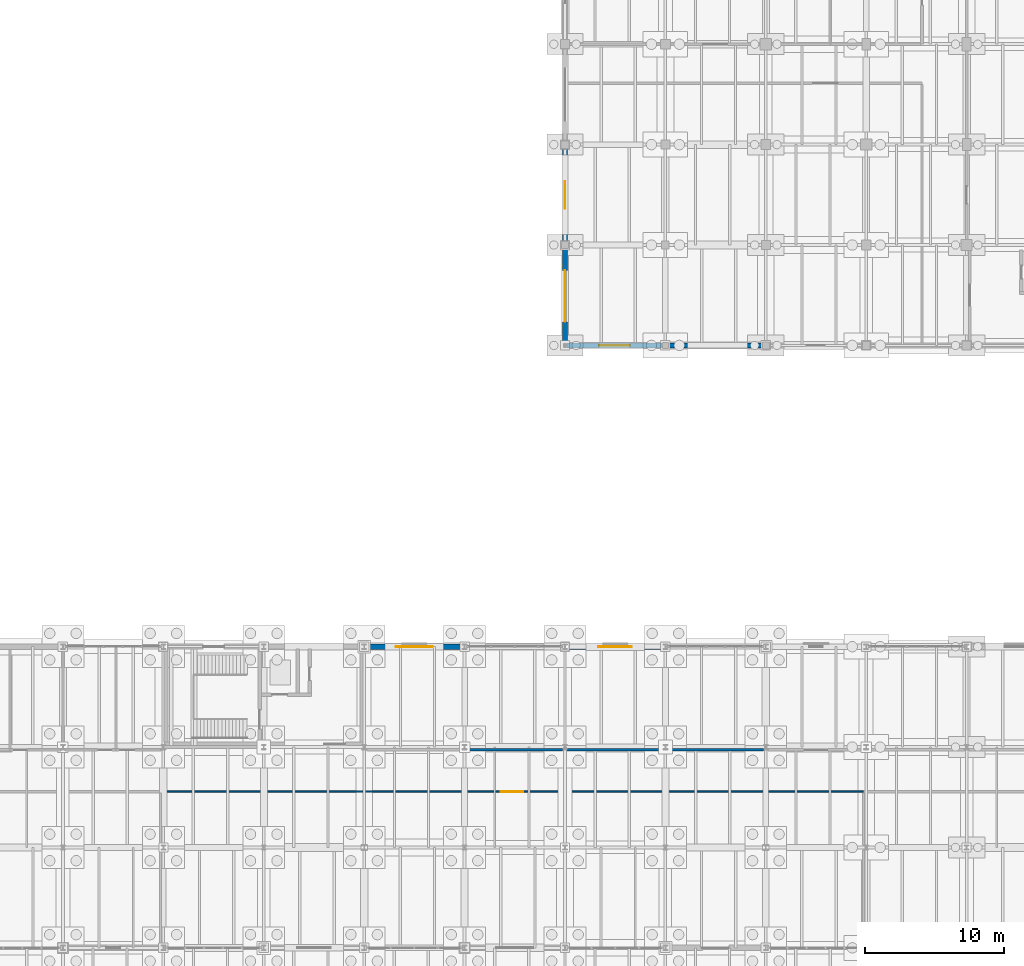
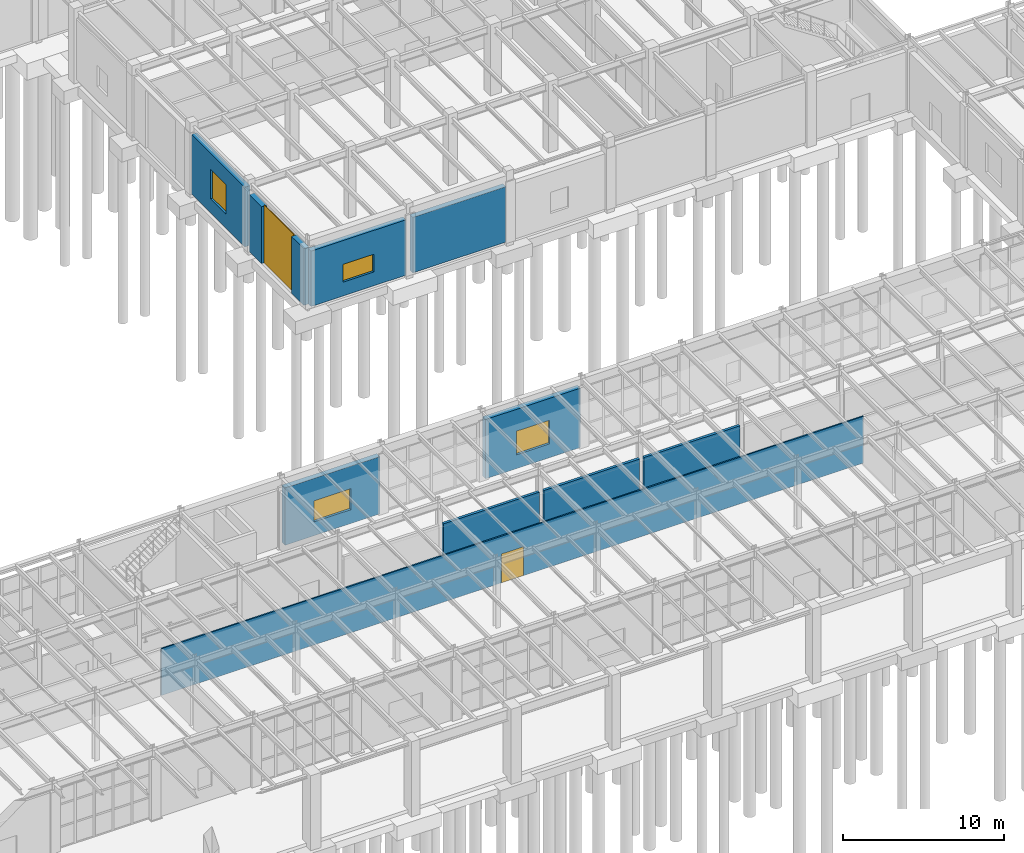
# One storey, part 266 of 293: 10 walls, 4 windows, 2 doors, 6 openings.
"""IFC4 building model written with IfcOpenShell, lengths in metres."""

from ifc_helpers import new_model, si_unit, direction, frame, frame_2d, origin, place, context, subcontext, project, spatial, rectangle, extrude, material, layer, layer_set, type_object, element, fill, save


model = new_model("IFC4")

# Units and contexts
model_context = context("Model", 3, precision=1e-05, world=origin(), true_north=direction((0.0, 1.0)))
body_context = subcontext(model_context, "Body", "Model", "MODEL_VIEW")
ifc_project = project(units=[si_unit("LENGTHUNIT", "METRE"), si_unit("AREAUNIT", "SQUARE_METRE"), si_unit("VOLUMEUNIT", "CUBIC_METRE"), si_unit("PLANEANGLEUNIT", "RADIAN"), si_unit("MASSUNIT", "GRAM", prefix="KILO")], contexts=[model_context])

# Site, building, storey
site_placement = place(None, origin())
site = spatial("IfcSite", under=ifc_project, at=site_placement, CompositionType="ELEMENT")
building_placement = place(site_placement, origin())
building = spatial("IfcBuilding", under=site, at=building_placement, Name="Kemerveld Promenade Tramway Depot", CompositionType="ELEMENT")
storey_placement = place(building_placement, origin())
storey = spatial("IfcBuildingStorey", under=building, at=storey_placement, Name="L00", CompositionType="ELEMENT", Elevation=0.0)

# Wall, opening, window
ifc_material_1 = material(Name="Harare granite ashlar and clay brick cavity masonry", Category="masonry")
ifc_layer_1 = layer(ifc_material_1, 0.3798828125)
ifc_layer_set_1 = layer_set([ifc_layer_1], Name="WL-EXT-380")
wall_type_1 = type_object("IfcWallType", Name="WL-EXT-380", PredefinedType="SOLIDWALL", material=ifc_layer_set_1)
wall_1_placement = place(storey_placement, frame((100.996337890625, 28.800048828125, 0.0), z_axis=(0.0, 0.0, 1.0), x_axis=(1.0, 0.0, 0.0)))
wall_1 = element("IfcWall", 1, at=wall_1_placement, inside=storey, type_object=wall_type_1, Name="WL-L00-V4N-07", PredefinedType="SOLIDWALL", context=body_context, shape_type="SweptSolid", body=[
    extrude(rectangle(XDim=6.807373046875, YDim=0.3798828125, at=frame_2d((3.40380859375, 0.0))), origin(), (0.0, 0.0, 1.0), 4.35498046875),
])
opening_1_placement = place(wall_1_placement, frame((2.0791015625, 0.0, 1.050048828125)))
opening_1 = element("IfcOpeningElement", 2, at=opening_1_placement, cuts=wall_1, Name="Opening W-116", PredefinedType="OPENING", context=body_context, shape_type="SweptSolid", body=[
    extrude(rectangle(XDim=2.64990234375, YDim=1.60009765625, at=frame_2d((1.324951171875, 0.800048828125))), frame((0.0, 0.199951171875, 0.0), z_axis=(0.0, -1.0, 0.0), x_axis=(1.0, 0.0, 0.0)), (0.0, 0.0, 1.0), 0.39990234375),
])
ifc_material_2 = material(Name="Bronze anodised aluminium and low-e glass", Category="aluminium")
window_type_1 = type_object("IfcWindowType", Name="WN-40", PartitioningType="SINGLE_PANEL", PredefinedType="WINDOW", material=ifc_material_2)
window_1_placement = place(opening_1_placement, origin())
window_1 = element("IfcWindow", 3, at=window_1_placement, inside=storey, type_object=window_type_1, Name="WN-L00-V4N-07", OverallHeight=1.60009765625, OverallWidth=2.64990234375, PartitioningType="SINGLE_PANEL", PredefinedType="WINDOW", context=body_context, shape_type="SweptSolid", body=[
    extrude(rectangle(XDim=2.64990234375, YDim=1.60009765625, at=frame_2d((1.324951171875, 0.800048828125))), frame((0.0, 0.030029296875, 0.0), z_axis=(0.0, -1.0, 0.0), x_axis=(1.0, 0.0, 0.0)), (0.0, 0.0, 1.0), 0.06005859375),
])
fill(opening_1, window_1)

wall_2_placement = place(storey_placement, frame((115.396240234375, 28.800048828125, 0.0), z_axis=(0.0, 0.0, 1.0), x_axis=(1.0, 0.0, 0.0)))
wall_2 = element("IfcWall", 4, at=wall_2_placement, inside=storey, type_object=wall_type_1, Name="WL-L00-V4N-09", PredefinedType="SOLIDWALL", context=body_context, shape_type="SweptSolid", body=[
    extrude(rectangle(XDim=6.807373046875, YDim=0.3798828125, at=frame_2d((3.40380859375, 0.0))), origin(), (0.0, 0.0, 1.0), 4.5048828125),
])
opening_2_placement = place(wall_2_placement, frame((2.2041015625, 0.0, 1.050048828125)))
opening_2 = element("IfcOpeningElement", 5, at=opening_2_placement, cuts=wall_2, Name="Opening W-117", PredefinedType="OPENING", context=body_context, shape_type="SweptSolid", body=[
    extrude(rectangle(XDim=2.39990234375, YDim=1.800048828125, at=frame_2d((1.199951171875, 0.89990234375))), frame((0.0, 0.199951171875, 0.0), z_axis=(0.0, -1.0, 0.0), x_axis=(1.0, 0.0, 0.0)), (0.0, 0.0, 1.0), 0.39990234375),
])
window_type_2 = type_object("IfcWindowType", Name="WN-10", PartitioningType="SINGLE_PANEL", PredefinedType="WINDOW", material=ifc_material_2)
window_2_placement = place(opening_2_placement, origin())
window_2 = element("IfcWindow", 6, at=window_2_placement, inside=storey, type_object=window_type_2, Name="WN-L00-V4N-09", OverallHeight=1.800048828125, OverallWidth=2.39990234375, PartitioningType="SINGLE_PANEL", PredefinedType="WINDOW", context=body_context, shape_type="SweptSolid", body=[
    extrude(rectangle(XDim=2.39990234375, YDim=1.800048828125, at=frame_2d((1.199951171875, 0.89990234375))), frame((0.0, 0.030029296875, 0.0), z_axis=(0.0, -1.0, 0.0), x_axis=(1.0, 0.0, 0.0)), (0.0, 0.0, 1.0), 0.06005859375),
])
fill(opening_2, window_2)

# Wall, opening, door
wall_3_placement = place(storey_placement, frame((115.199951171875, 50.544921875, 0.0), z_axis=(0.0, 0.0, 1.0), x_axis=(0.0, 1.0, 0.0)))
wall_3 = element("IfcWall", 7, at=wall_3_placement, inside=storey, type_object=wall_type_1, Name="WL-L00-V3W-01", PredefinedType="SOLIDWALL", context=body_context, shape_type="SweptSolid", body=[
    extrude(rectangle(XDim=6.78515625, YDim=0.3798828125, at=frame_2d((3.392578125, 0.0))), origin(), (0.0, 0.0, 1.0), 4.31005859375),
])
opening_3_placement = place(wall_3_placement, frame((1.5419921875, 0.0, 0.0)))
opening_3 = element("IfcOpeningElement", 8, at=opening_3_placement, cuts=wall_3, Name="Opening D-135", PredefinedType="OPENING", context=body_context, shape_type="SweptSolid", body=[
    extrude(rectangle(XDim=3.699951171875, YDim=4.39990234375, at=frame_2d((1.85009765625, 2.199951171875))), frame((0.0, 0.199951171875, 0.0), z_axis=(0.0, -1.0, 0.0), x_axis=(1.0, 0.0, 0.0)), (0.0, 0.0, 1.0), 0.39990234375),
])
ifc_material_3 = material(Name="Corrosion-resistant aluminium high-speed wash shutter", Category="aluminium")
door_type_1 = type_object("IfcDoorType", Name="GT-WASH1", OperationType="ROLLINGUP", PredefinedType="GATE", material=ifc_material_3)
door_1_placement = place(opening_3_placement, origin())
door_1 = element("IfcDoor", 9, at=door_1_placement, inside=storey, type_object=door_type_1, Name="GT-WASH-W1", OperationType="ROLLINGUP", OverallHeight=4.39990234375, OverallWidth=3.699951171875, PredefinedType="GATE", context=body_context, shape_type="SweptSolid", body=[
    extrude(rectangle(XDim=3.699951171875, YDim=4.39990234375, at=frame_2d((1.85009765625, 2.199951171875))), frame((0.0, 0.02490234375, 0.0), z_axis=(0.0, -1.0, 0.0), x_axis=(1.0, 0.0, 0.0)), (0.0, 0.0, 1.0), 0.050048828125),
])
fill(opening_3, door_1)

# Wall, opening, window
wall_4_placement = place(storey_placement, frame((115.199951171875, 57.8701171875, 0.0), z_axis=(0.0, 0.0, 1.0), x_axis=(0.0, 1.0, 0.0)))
wall_4 = element("IfcWall", 10, at=wall_4_placement, inside=storey, type_object=wall_type_1, Name="WL-L00-V3W-02", PredefinedType="SOLIDWALL", context=body_context, shape_type="SweptSolid", body=[
    extrude(rectangle(XDim=6.634765625, YDim=0.3798828125, at=frame_2d((3.3173828125, 0.0))), origin(), (0.0, 0.0, 1.0), 4.5234375),
])
opening_4_placement = place(wall_4_placement, frame((2.342041015625, 0.0, 1.050048828125)))
opening_4 = element("IfcOpeningElement", 11, at=opening_4_placement, cuts=wall_4, Name="Opening W-120", PredefinedType="OPENING", context=body_context, shape_type="SweptSolid", body=[
    extrude(rectangle(XDim=1.949951171875, YDim=2.25, at=frame_2d((0.97509765625, 1.125))), frame((0.0, 0.199951171875, 0.0), z_axis=(0.0, -1.0, 0.0), x_axis=(1.0, 0.0, 0.0)), (0.0, 0.0, 1.0), 0.39990234375),
])
window_type_3 = type_object("IfcWindowType", Name="WN-15", PartitioningType="SINGLE_PANEL", PredefinedType="WINDOW", material=ifc_material_2)
window_3_placement = place(opening_4_placement, origin())
window_3 = element("IfcWindow", 12, at=window_3_placement, inside=storey, type_object=window_type_3, Name="WN-L00-V3W-02", OverallHeight=2.25, OverallWidth=1.949951171875, PartitioningType="SINGLE_PANEL", PredefinedType="WINDOW", context=body_context, shape_type="SweptSolid", body=[
    extrude(rectangle(XDim=1.949951171875, YDim=2.25, at=frame_2d((0.97509765625, 1.125))), frame((0.0, 0.030029296875, 0.0), z_axis=(0.0, -1.0, 0.0), x_axis=(1.0, 0.0, 0.0)), (0.0, 0.0, 1.0), 0.06005859375),
])
fill(opening_4, window_3)

# Wall
wall_5_placement = place(storey_placement, frame((129.330078125, 50.39990234375, 0.0), z_axis=(0.0, 0.0, 1.0), x_axis=(-1.0, 0.0, 0.0)))
element("IfcWall", 13, at=wall_5_placement, inside=storey, type_object=wall_type_1, Name="WL-L00-V3S-05", PredefinedType="SOLIDWALL", context=body_context, shape_type="SweptSolid", body=[
    extrude(rectangle(XDim=6.68505859375, YDim=0.3798828125, at=frame_2d((3.342529296875, 0.0))), origin(), (0.0, 0.0, 1.0), 4.2099609375),
])

# Wall, opening, window
wall_6_placement = place(storey_placement, frame((122.155029296875, 50.39990234375, 0.0), z_axis=(0.0, 0.0, 1.0), x_axis=(-1.0, 0.0, 0.0)))
wall_6 = element("IfcWall", 14, at=wall_6_placement, inside=storey, type_object=wall_type_1, Name="WL-L00-V3S-06", PredefinedType="SOLIDWALL", context=body_context, shape_type="SweptSolid", body=[
    extrude(rectangle(XDim=6.81005859375, YDim=0.3798828125, at=frame_2d((3.405029296875, 0.0))), origin(), (0.0, 0.0, 1.0), 4.2099609375),
])
opening_5_placement = place(wall_6_placement, frame((2.304931640625, 0.0, 1.050048828125)))
opening_5 = element("IfcOpeningElement", 15, at=opening_5_placement, cuts=wall_6, Name="Opening W-127", PredefinedType="OPENING", context=body_context, shape_type="SweptSolid", body=[
    extrude(rectangle(XDim=2.199951171875, YDim=1.35009765625, at=frame_2d((1.10009765625, 0.675048828125))), frame((0.0, 0.199951171875, 0.0), z_axis=(0.0, -1.0, 0.0), x_axis=(1.0, 0.0, 0.0)), (0.0, 0.0, 1.0), 0.39990234375),
])
window_type_4 = type_object("IfcWindowType", Name="WN-35", PartitioningType="SINGLE_PANEL", PredefinedType="WINDOW", material=ifc_material_2)
window_4_placement = place(opening_5_placement, origin())
window_4 = element("IfcWindow", 16, at=window_4_placement, inside=storey, type_object=window_type_4, Name="WN-L00-V3S-06", OverallHeight=1.35009765625, OverallWidth=2.199951171875, PartitioningType="SINGLE_PANEL", PredefinedType="WINDOW", context=body_context, shape_type="SweptSolid", body=[
    extrude(rectangle(XDim=2.199951171875, YDim=1.35009765625, at=frame_2d((1.10009765625, 0.675048828125))), frame((0.0, 0.030029296875, 0.0), z_axis=(0.0, -1.0, 0.0), x_axis=(1.0, 0.0, 0.0)), (0.0, 0.0, 1.0), 0.06005859375),
])
fill(opening_5, window_4)

# Wall, opening, door
ifc_material_4 = material(Name="Lightweight glazed studio partition")
ifc_layer_2 = layer(ifc_material_4, 0.10009765625)
ifc_layer_set_2 = layer_set([ifc_layer_2], Name="WL-PRT-100")
wall_type_2 = type_object("IfcWallType", Name="WL-PRT-100", PredefinedType="PARTITIONING", material=ifc_layer_set_2)
wall_7_placement = place(storey_placement, frame((86.199951171875, 18.39990234375, 0.0), z_axis=(0.0, 0.0, 1.0), x_axis=(1.0, 0.0, 0.0)))
wall_7 = element("IfcWall", 17, at=wall_7_placement, inside=storey, type_object=wall_type_2, Name="WL-PRT-RM-L00-V4-EXH", PredefinedType="PARTITIONING", context=body_context, shape_type="SweptSolid", body=[
    extrude(rectangle(XDim=50.400146484375, YDim=0.10009765625, at=frame_2d((25.2001953125, 0.0))), origin(), (0.0, 0.0, 1.0), 3.550048828125),
])
opening_6_placement = place(wall_7_placement, frame((24.39990234375, 0.0, 0.0)))
opening_6 = element("IfcOpeningElement", 18, at=opening_6_placement, cuts=wall_7, Name="Opening D-606", PredefinedType="OPENING", context=body_context, shape_type="SweptSolid", body=[
    extrude(rectangle(XDim=1.60009765625, YDim=2.199951171875, at=frame_2d((0.800048828125, 1.10009765625))), frame((0.0, 0.06005859375, 0.0), z_axis=(0.0, -1.0, 0.0), x_axis=(1.0, 0.0, 0.0)), (0.0, 0.0, 1.0), 0.1201171875),
])
ifc_material_5 = material(Name="Double glazed gallery and canteen door")
door_type_2 = type_object("IfcDoorType", Name="DR-INT05", OperationType="DOUBLE_SWING_LEFT", PredefinedType="DOOR", material=ifc_material_5)
door_2_placement = place(opening_6_placement, origin())
door_2 = element("IfcDoor", 19, at=door_2_placement, inside=storey, type_object=door_type_2, Name="DR-RM-RM-L00-V4-EXH", OperationType="DOUBLE_SWING_LEFT", OverallHeight=2.199951171875, OverallWidth=1.60009765625, PredefinedType="DOOR", context=body_context, shape_type="SweptSolid", body=[
    extrude(rectangle(XDim=1.60009765625, YDim=2.199951171875, at=frame_2d((0.800048828125, 1.10009765625))), frame((0.0, 0.02490234375, 0.0), z_axis=(0.0, -1.0, 0.0), x_axis=(1.0, 0.0, 0.0)), (0.0, 0.0, 1.0), 0.050048828125),
])
fill(opening_6, door_2)

# Walls
ifc_material_6 = material(Name="Plant and substation fire partition")
ifc_layer_3 = layer(ifc_material_6, 0.18994140625)
ifc_layer_set_3 = layer_set([ifc_layer_3], Name="WL-PRT-190")
wall_type_3 = type_object("IfcWallType", Name="WL-PRT-190", PredefinedType="PARTITIONING", material=ifc_layer_set_3)
wall_8_placement = place(storey_placement, frame((108.160888671875, 21.39990234375, 0.0), z_axis=(0.0, 0.0, 1.0), x_axis=(1.0, 0.0, 0.0)))
element("IfcWall", 20, at=wall_8_placement, inside=storey, type_object=wall_type_3, Name="WL-PRT-RM-L00-V4-FOY-S2", PredefinedType="PARTITIONING", context=body_context, shape_type="SweptSolid", body=[
    extrude(rectangle(XDim=6.878173828125, YDim=0.18994140625, at=frame_2d((3.43896484375, 0.0))), origin(), (0.0, 0.0, 1.0), 3.550048828125),
])
for number, where, z_axis, x_axis, name in (
    (21, (115.361083984375, 21.39990234375, 0.0), (0.0, 0.0, 1.0), (1.0, 0.0, 0.0), "WL-PRT-RM-L00-V4-FOY-S3"),
    (22, (122.56103515625, 21.39990234375, 0.0), (0.0, 0.0, 1.0), (1.0, 0.0, 0.0), "WL-PRT-RM-L00-V4-FOY-S4"),
):
    element("IfcWall", number, at=place(storey_placement, frame(where, z_axis=z_axis, x_axis=x_axis)), inside=storey, type_object=wall_type_3, Name=name, PredefinedType="PARTITIONING", context=body_context, shape_type="SweptSolid", body=[
        extrude(rectangle(XDim=6.8779296875, YDim=0.18994140625, at=frame_2d((3.43896484375, 0.0))), origin(), (0.0, 0.0, 1.0), 3.550048828125),
    ])

save(model, "model.ifc")
